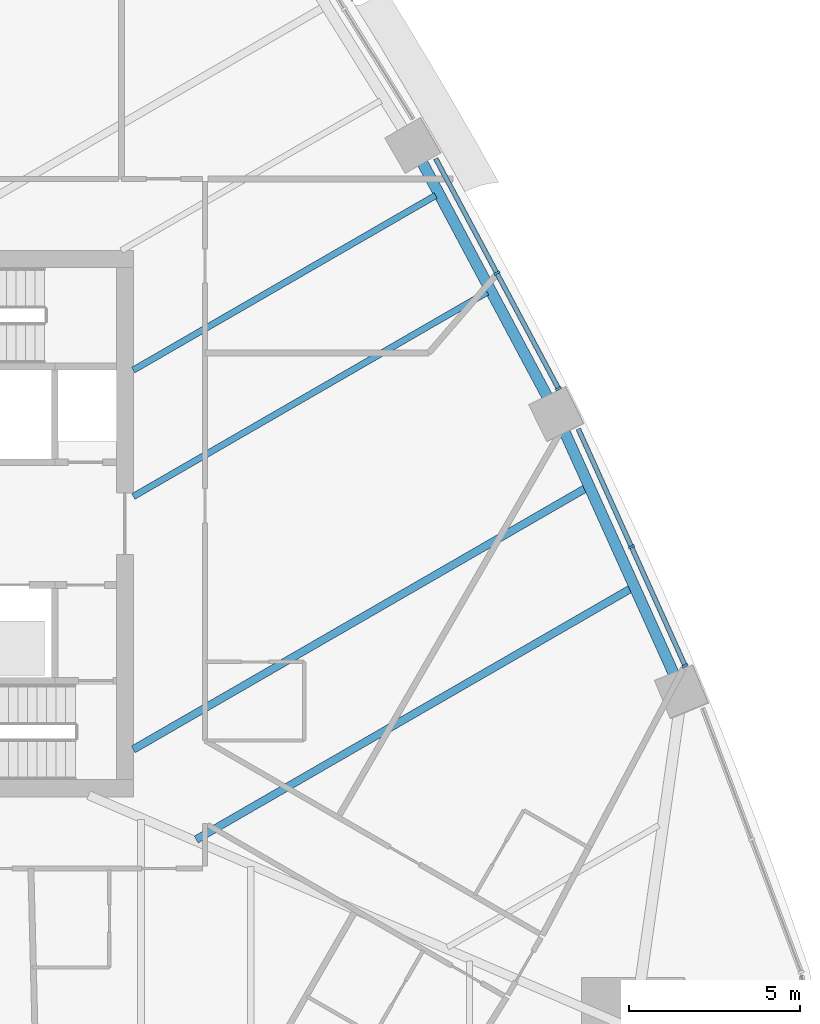
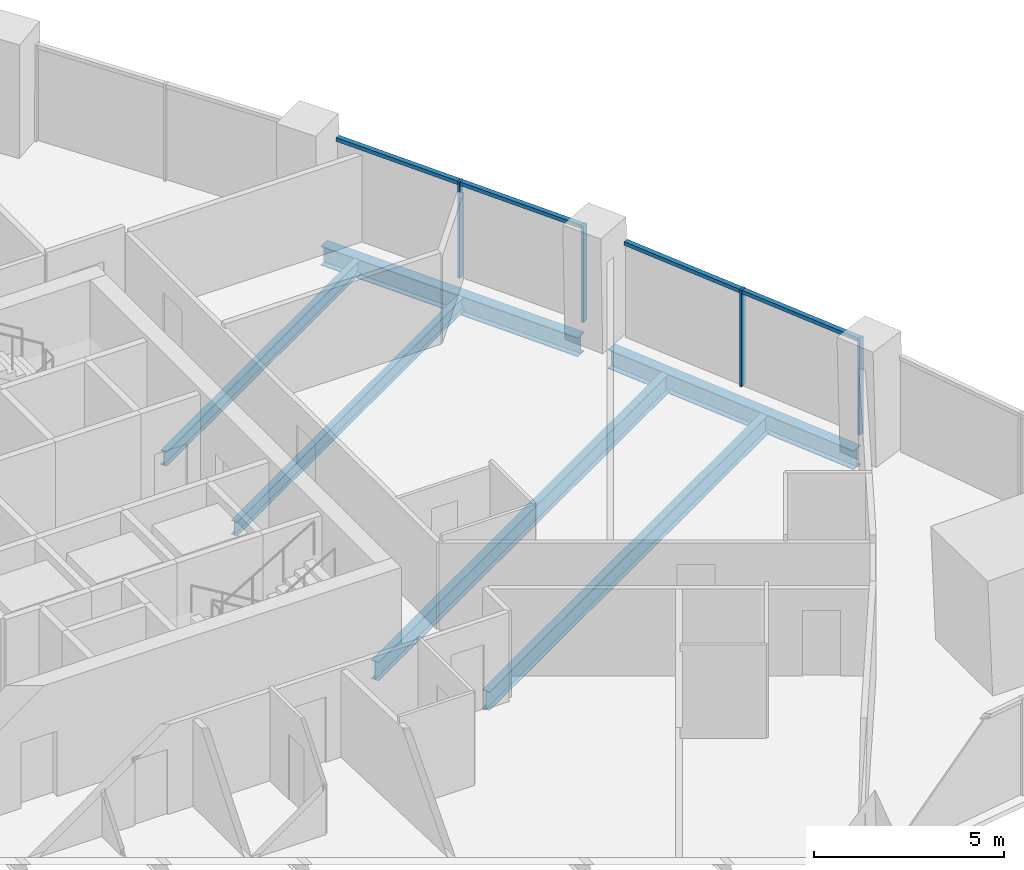
# One storey, part 5 of 17: 8 members, 6 beams, 2 elements without a shape of their own.
"""IFC4 building model written with IfcOpenShell, lengths in metres."""

from ifc_helpers import new_model, si_unit, direction, frame, origin, origin_2d, place, context, subcontext, project, spatial, rectangle, i_section, extrude, material, layer, layer_set, material_profile, profile_set, type_object, element, aggregate, save


model = new_model("IFC4")

# Units and contexts
model_context = context("Model", 3, precision=1e-05, world=origin(), true_north=direction((0.0, 1.0)))
body_context = subcontext(model_context, "Body", "Model", "MODEL_VIEW")
ifc_project = project(units=[si_unit("LENGTHUNIT", "METRE"), si_unit("AREAUNIT", "SQUARE_METRE"), si_unit("VOLUMEUNIT", "CUBIC_METRE"), si_unit("PLANEANGLEUNIT", "RADIAN"), si_unit("MASSUNIT", "GRAM", prefix="KILO")], contexts=[model_context])

# Site, building, storey
site_placement = place(None, origin())
site = spatial("IfcSite", under=ifc_project, at=site_placement, CompositionType="ELEMENT")
building_placement = place(site_placement, origin())
building = spatial("IfcBuilding", under=site, at=building_placement, Name="Sierra Prisma Convention Tower", CompositionType="ELEMENT")
storey_placement = place(building_placement, frame((0.0, 0.0, 99.800048828125)))
storey = spatial("IfcBuildingStorey", under=building, at=storey_placement, Name="L21", CompositionType="ELEMENT", Elevation=99.800048828125)

# Curtain wall, members
ifc_material_1 = material(Name="Aluminium and glass curtain wall", Category="aluminium")
ifc_layer = layer(ifc_material_1, 0.179931640625)
ifc_layer_set = layer_set([ifc_layer], Name="CW-1 Plain shaft curtain wall")
curtain_wall_type = type_object("IfcCurtainWallType", Name="CW-1 Plain shaft curtain wall", PredefinedType="NOTDEFINED", material=ifc_layer_set)
curtain_wall_1_placement = place(storey_placement, origin())
curtain_wall_1 = element("IfcCurtainWall", 1, at=curtain_wall_1_placement, inside=storey, type_object=curtain_wall_type, Name="CW-1 NE2 L21", PredefinedType="NOTDEFINED")
ifc_material_2 = material(Name="Aluminium 6063-T6 bronze anodised", Category="aluminium")
ifc_material_profile_1 = material_profile(ifc_material_2, rectangle(XDim=0.179931640625, YDim=0.070068359375, at=origin_2d()), Name="ALU MULLION 70x180")
ifc_profile_set_1 = profile_set([ifc_material_profile_1], Name="Aluminium 6063-T6 bronze anodised")
member_type_1 = type_object("IfcMemberType", Name="CW mullion bronze", PredefinedType="MULLION", material=ifc_profile_set_1)
member_1_placement = place(storey_placement, frame((27.158935546875, -4.158203125, 0.0), z_axis=(0.0, 0.0, 1.0), x_axis=(-0.911564936097, -0.411156134916, 0.0)))
member_1 = element("IfcMember", 2, at=member_1_placement, type_object=member_type_1, Name="CW-1 mullion NE2.1", PredefinedType="MULLION", context=body_context, shape_type="SweptSolid", body=[
    extrude(rectangle(XDim=0.179931640625, YDim=0.070068359375, at=origin_2d()), origin(), (0.0, 0.0, 1.0), 3.099853515625),
])
member_2_placement = place(storey_placement, frame((25.588623046875, -0.6767578125, 0.0), z_axis=(0.0, 0.0, 1.0), x_axis=(-0.911564936097, -0.411156134916, 0.0)))
member_2 = element("IfcMember", 3, at=member_2_placement, type_object=member_type_1, Name="CW-1 mullion NE2.2", PredefinedType="MULLION", context=body_context, shape_type="SweptSolid", body=[
    extrude(rectangle(XDim=0.179931640625, YDim=0.070068359375, at=origin_2d()), origin(), (0.0, 0.0, 1.0), 3.099853515625),
])

curtain_wall_2_placement = place(storey_placement, origin())
curtain_wall_2 = element("IfcCurtainWall", 4, at=curtain_wall_2_placement, inside=storey, type_object=curtain_wall_type, Name="CW-1 NE3 L21", PredefinedType="NOTDEFINED")
member_3_placement = place(storey_placement, frame((23.452392578125, 3.955078125, 0.0), z_axis=(0.0, 0.0, 1.0), x_axis=(-0.882188562804, -0.470896315189, 0.0)))
member_3 = element("IfcMember", 5, at=member_3_placement, type_object=member_type_1, Name="CW-1 mullion NE3.1", PredefinedType="MULLION", context=body_context, shape_type="SweptSolid", body=[
    extrude(rectangle(XDim=0.179931640625, YDim=0.070068359375, at=origin_2d()), origin(), (0.0, 0.0, 1.0), 3.099853515625),
])
member_4_placement = place(storey_placement, frame((21.646240234375, 7.33837890625, 0.0), z_axis=(0.0, 0.0, 1.0), x_axis=(-0.882188562804, -0.470896315189, 0.0)))
member_4 = element("IfcMember", 6, at=member_4_placement, type_object=member_type_1, Name="CW-1 mullion NE3.2", PredefinedType="MULLION", context=body_context, shape_type="SweptSolid", body=[
    extrude(rectangle(XDim=0.179931640625, YDim=0.070068359375, at=origin_2d()), origin(), (0.0, 0.0, 1.0), 3.099853515625),
])

# Member
ifc_material_3 = material(Name="Aluminium 6063-T6 bronze anodised", Category="aluminium")
ifc_material_profile_2 = material_profile(ifc_material_3, rectangle(XDim=0.139892578125, YDim=0.1201171875, at=origin_2d()), Name="ALU TRANSOM 120x140")
ifc_profile_set_2 = profile_set([ifc_material_profile_2], Name="Aluminium 6063-T6 bronze anodised")
member_type_2 = type_object("IfcMemberType", Name="CW transom bronze", PredefinedType="USERDEFINED", material=ifc_profile_set_2)
member_5_placement = place(storey_placement, frame((27.14453125, -4.126220703125, 3.0400390625), z_axis=(-0.411171416325, 0.911558043351, 0.0), x_axis=(-0.911558043351, -0.411171416325, 0.0)))
member_5 = element("IfcMember", 7, at=member_5_placement, type_object=member_type_2, Name="CW-1 transom NE2.1", ObjectType="TRANSOM", PredefinedType="USERDEFINED", context=body_context, shape_type="SweptSolid", body=[
    extrude(rectangle(XDim=0.139892578125, YDim=0.1201171875, at=origin_2d()), origin(), (0.0, 0.0, 1.0), 3.7490234375),
])

member_6_placement = place(storey_placement, frame((25.574462890625, -0.644775390625, 3.0400390625), z_axis=(-0.411171416325, 0.911558043351, 0.0), x_axis=(-0.911558043351, -0.411171416325, 0.0)))
member_6 = element("IfcMember", 8, at=member_6_placement, type_object=member_type_2, Name="CW-1 transom NE2.2", ObjectType="TRANSOM", PredefinedType="USERDEFINED", context=body_context, shape_type="SweptSolid", body=[
    extrude(rectangle(XDim=0.139892578125, YDim=0.1201171875, at=origin_2d()), origin(), (0.0, 0.0, 1.0), 3.7490234375),
])

aggregate(curtain_wall_1, [member_1, member_2, member_5, member_6])

member_7_placement = place(storey_placement, frame((23.435791015625, 3.98583984375, 3.0400390625), z_axis=(-0.470864172618, 0.882205719175, 0.0), x_axis=(-0.882205719175, -0.470864172618, 0.0)))
member_7 = element("IfcMember", 9, at=member_7_placement, type_object=member_type_2, Name="CW-1 transom NE3.1", ObjectType="TRANSOM", PredefinedType="USERDEFINED", context=body_context, shape_type="SweptSolid", body=[
    extrude(rectangle(XDim=0.139892578125, YDim=0.1201171875, at=origin_2d()), origin(), (0.0, 0.0, 1.0), 3.765380859375),
])

member_8_placement = place(storey_placement, frame((21.6298828125, 7.369384765625, 3.0400390625), z_axis=(-0.470914634013, 0.882178784302, 0.0), x_axis=(-0.882178784302, -0.470914634013, 0.0)))
member_8 = element("IfcMember", 10, at=member_8_placement, type_object=member_type_2, Name="CW-1 transom NE3.2", ObjectType="TRANSOM", PredefinedType="USERDEFINED", context=body_context, shape_type="SweptSolid", body=[
    extrude(rectangle(XDim=0.139892578125, YDim=0.1201171875, at=origin_2d()), origin(), (0.0, 0.0, 1.0), 3.765380859375),
])

aggregate(curtain_wall_2, [member_3, member_4, member_7, member_8])

# Beams
ifc_material_4 = material(Name="Steel ASTM A992 Gr 50", Category="steel")
ifc_material_profile_3 = material_profile(ifc_material_4, i_section(OverallWidth=0.18994140625, OverallDepth=0.45703125, WebThickness=0.009033203125, FlangeThickness=0.014404296875, at=origin_2d()), Name="W460x74")
ifc_profile_set_3 = profile_set([ifc_material_profile_3], Name="Steel ASTM A992 Gr 50")
beam_type_1 = type_object("IfcBeamType", Name="Floor joist W460x74", PredefinedType="JOIST", material=ifc_profile_set_3)
beam_1_placement = place(storey_placement, frame((21.364013671875, 6.779052734375, -0.378662109375), z_axis=(-0.866026254271, -0.499998526912, 0.0), x_axis=(0.499998526912, -0.866026254271, 0.0)))
element("IfcBeam", 11, at=beam_1_placement, inside=storey, type_object=beam_type_1, Name="Floor joist L21 NE07", PredefinedType="JOIST", context=body_context, shape_type="SweptSolid", body=[
    extrude(i_section(OverallWidth=0.18994140625, OverallDepth=0.45703125, WebThickness=0.009033203125, FlangeThickness=0.014404296875, at=origin_2d()), origin(), (0.0, 0.0, 1.0), 11.96728515625),
])
beam_2_placement = place(storey_placement, frame((19.852783203125, 9.6103515625, -0.378662109375), z_axis=(-0.866018145037, -0.500012572309, 0.0), x_axis=(0.500012572309, -0.866018145037, 0.0)))
element("IfcBeam", 12, at=beam_2_placement, inside=storey, type_object=beam_type_1, Name="Floor joist L21 NE08", PredefinedType="JOIST", context=body_context, shape_type="SweptSolid", body=[
    extrude(i_section(OverallWidth=0.18994140625, OverallDepth=0.45703125, WebThickness=0.009033203125, FlangeThickness=0.014404296875, at=origin_2d()), origin(), (0.0, 0.0, 1.0), 10.222412109375),
])
ifc_material_5 = material(Name="Steel ASTM A992 Gr 50", Category="steel")
ifc_material_profile_4 = material_profile(ifc_material_5, i_section(OverallWidth=0.22802734375, OverallDepth=0.60302734375, WebThickness=0.010498046875, FlangeThickness=0.014892578125, at=origin_2d()), Name="W610x101")
ifc_profile_set_4 = profile_set([ifc_material_profile_4], Name="Steel ASTM A992 Gr 50")
beam_type_2 = type_object("IfcBeamType", Name="Floor joist W610x101", PredefinedType="JOIST", material=ifc_profile_set_4)
beam_3_placement = place(storey_placement, frame((25.57763671875, -1.89892578125, -0.45166015625), z_axis=(-0.866023270402, -0.500003695108, 0.0), x_axis=(0.500003695108, -0.866023270402, 0.0)))
element("IfcBeam", 13, at=beam_3_placement, inside=storey, type_object=beam_type_2, Name="Floor joist L21 NE04", PredefinedType="JOIST", context=body_context, shape_type="SweptSolid", body=[
    extrude(i_section(OverallWidth=0.22802734375, OverallDepth=0.60302734375, WebThickness=0.010498046875, FlangeThickness=0.014892578125, at=origin_2d()), origin(), (0.0, 0.0, 1.0), 14.703125),
])
beam_4_placement = place(storey_placement, frame((24.25244140625, 1.03955078125, -0.45166015625), z_axis=(-0.866023519955, -0.500003262875, 0.0), x_axis=(0.500003262875, -0.866023519955, 0.0)))
element("IfcBeam", 14, at=beam_4_placement, inside=storey, type_object=beam_type_2, Name="Floor joist L21 NE05", PredefinedType="JOIST", context=body_context, shape_type="SweptSolid", body=[
    extrude(i_section(OverallWidth=0.22802734375, OverallDepth=0.60302734375, WebThickness=0.010498046875, FlangeThickness=0.014892578125, at=origin_2d()), origin(), (0.0, 0.0, 1.0), 15.302734375),
])
ifc_material_6 = material(Name="Steel ASTM A992 Gr 50", Category="steel")
ifc_material_profile_5 = material_profile(ifc_material_6, i_section(OverallWidth=0.324951171875, OverallDepth=0.615966796875, WebThickness=0.013916015625, FlangeThickness=0.021484375, at=origin_2d()), Name="W610x174")
ifc_profile_set_5 = profile_set([ifc_material_profile_5], Name="Steel ASTM A992 Gr 50")
beam_type_3 = type_object("IfcBeamType", Name="Spandrel beam W610x174", PredefinedType="BEAM", material=ifc_profile_set_5)
beam_5_placement = place(storey_placement, frame((26.87109375, -4.492431640625, -0.4580078125), z_axis=(-0.411145705611, 0.911569640103, 0.0), x_axis=(-0.911569640103, -0.411145705611, 0.0)))
element("IfcBeam", 15, at=beam_5_placement, inside=storey, type_object=beam_type_3, Name="Spandrel L21-08", PredefinedType="BEAM", context=body_context, shape_type="SweptSolid", body=[
    extrude(i_section(OverallWidth=0.324951171875, OverallDepth=0.615966796875, WebThickness=0.013916015625, FlangeThickness=0.021484375, at=origin_2d()), origin(), (0.0, 0.0, 1.0), 7.9658203125),
])
beam_6_placement = place(storey_placement, frame((23.172119140625, 3.630859375, -0.4580078125), z_axis=(-0.470898392557, 0.882187453939, 0.0), x_axis=(-0.882187453939, -0.470898392557, 0.0)))
element("IfcBeam", 16, at=beam_6_placement, inside=storey, type_object=beam_type_3, Name="Spandrel L21-09", PredefinedType="BEAM", context=body_context, shape_type="SweptSolid", body=[
    extrude(i_section(OverallWidth=0.324951171875, OverallDepth=0.615966796875, WebThickness=0.013916015625, FlangeThickness=0.021484375, at=origin_2d()), origin(), (0.0, 0.0, 1.0), 7.966064453125),
])

save(model, "model.ifc")
